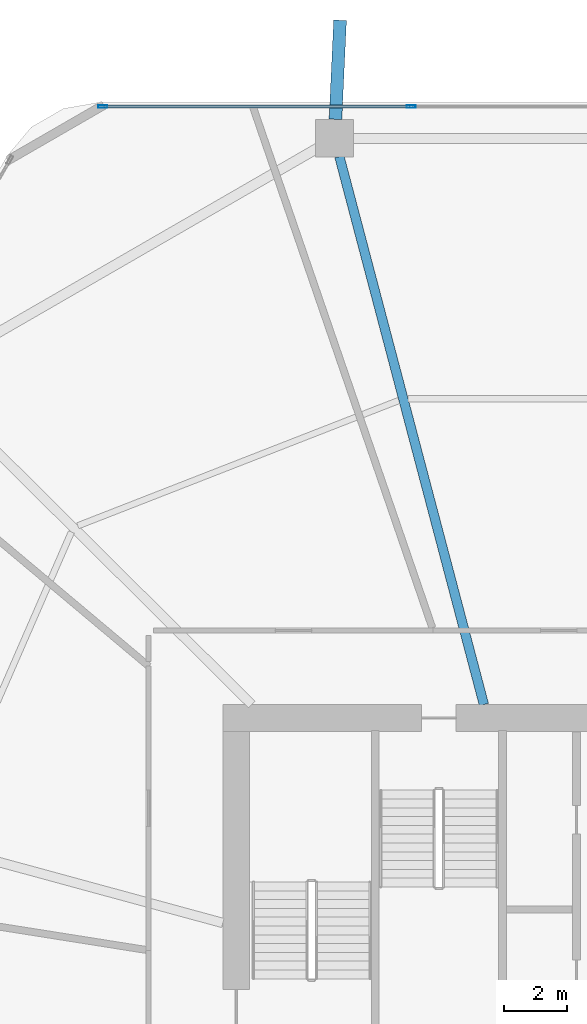
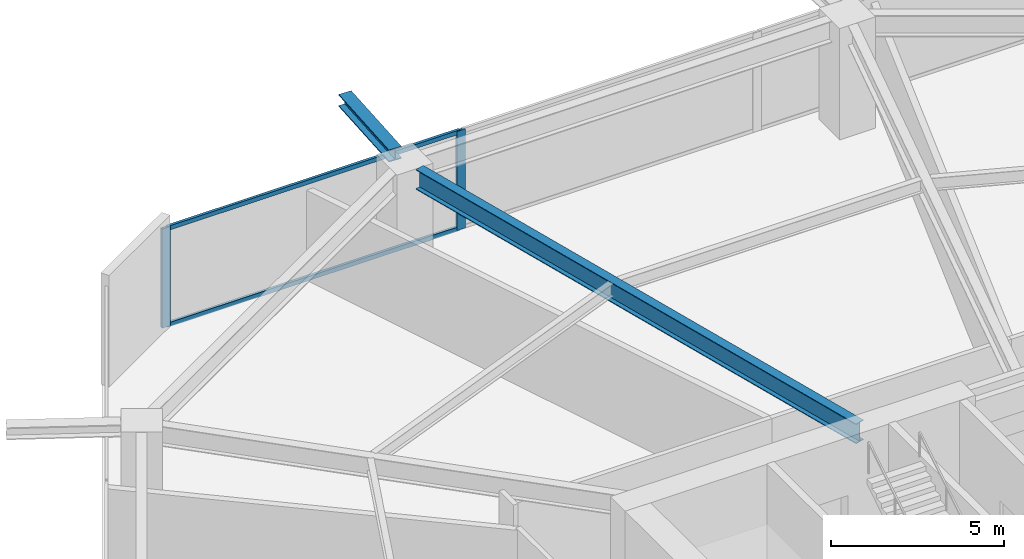
# One storey, part 15 of 25: 4 members, 2 beams, 1 element without a shape of its own.
"""IFC4 building model written with IfcOpenShell, lengths in metres."""

from ifc_helpers import new_model, si_unit, direction, frame, origin, origin_2d, place, context, subcontext, project, spatial, hollow_rectangle, i_section, extrude, material, material_profile, profile_set, type_object, element, aggregate, save


model = new_model("IFC4")

# Units and contexts
model_context = context("Model", 3, precision=1e-05, world=origin(), true_north=direction((0.0, 1.0)))
body_context = subcontext(model_context, "Body", "Model", "MODEL_VIEW")
ifc_project = project(units=[si_unit("LENGTHUNIT", "METRE"), si_unit("AREAUNIT", "SQUARE_METRE"), si_unit("VOLUMEUNIT", "CUBIC_METRE"), si_unit("PLANEANGLEUNIT", "RADIAN"), si_unit("MASSUNIT", "GRAM", prefix="KILO")], contexts=[model_context])

# Site, building, storey
site_placement = place(None, origin())
site = spatial("IfcSite", under=ifc_project, at=site_placement, CompositionType="ELEMENT")
building_placement = place(site_placement, origin())
building = spatial("IfcBuilding", under=site, at=building_placement, Name="Zuhravey Tower", CompositionType="ELEMENT")
storey_placement = place(building_placement, frame((0.0, 0.0, 45.60009765625)))
storey = spatial("IfcBuildingStorey", under=building, at=storey_placement, Name="L11", CompositionType="ELEMENT", Elevation=45.60009765625)

# Curtain wall, members
ifc_material_1 = material(Name="Thermally broken anodised aluminium", Category="aluminium")
curtain_wall_type = type_object("IfcCurtainWallType", Name="School Low-E Unitised Curtain Wall CW1", PredefinedType="NOTDEFINED", material=ifc_material_1)
curtain_wall_placement = place(storey_placement, origin())
curtain_wall = element("IfcCurtainWall", 1, at=curtain_wall_placement, inside=storey, type_object=curtain_wall_type, Name="L11 CW1 CW-L11-F2-1", PredefinedType="NOTDEFINED")
ifc_material_2 = material(Name="Anodised aluminium", Category="aluminium")
ifc_material_profile_1 = material_profile(ifc_material_2, hollow_rectangle(XDim=0.090087890625, YDim=0.284912109375, WallThickness=0.0048828125, at=origin_2d()), Name="ALU-RHS-90x285x5")
ifc_profile_set_1 = profile_set([ifc_material_profile_1], Name="Anodised aluminium")
member_type_1 = type_object("IfcMemberType", Name="Curtain-Wall Mullion 90x180", PredefinedType="MULLION", material=ifc_profile_set_1)
member_1_placement = place(storey_placement, frame((21.24560546875, 60.95849609375, 0.0), z_axis=(0.0, 0.0, 1.0), x_axis=(0.0, 1.0, 0.0)))
member_1 = element("IfcMember", 2, at=member_1_placement, type_object=member_type_1, Name="CW1 mullion 1", PredefinedType="MULLION", context=body_context, shape_type="SweptSolid", body=[
    extrude(hollow_rectangle(XDim=0.090087890625, YDim=0.284912109375, WallThickness=0.0048828125, at=origin_2d()), origin(), (0.0, 0.0, 1.0), 3.491943359375),
])
member_2_placement = place(storey_placement, frame((31.06689453125, 60.95849609375, 0.0), z_axis=(0.0, 0.0, 1.0), x_axis=(0.0, 1.0, 0.0)))
member_2 = element("IfcMember", 3, at=member_2_placement, type_object=member_type_1, Name="CW1 mullion 2", PredefinedType="MULLION", context=body_context, shape_type="SweptSolid", body=[
    extrude(hollow_rectangle(XDim=0.090087890625, YDim=0.284912109375, WallThickness=0.0048828125, at=origin_2d()), origin(), (0.0, 0.0, 1.0), 3.491943359375),
])
ifc_material_profile_2 = material_profile(ifc_material_2, hollow_rectangle(XDim=0.090087890625, YDim=0.14990234375, WallThickness=0.0048828125, at=origin_2d()), Name="ALU-RHS-90x150x5")
ifc_profile_set_2 = profile_set([ifc_material_profile_2], Name="Anodised aluminium")
member_type_2 = type_object("IfcMemberType", Name="Curtain-Wall Transom 90x150", PredefinedType="USERDEFINED", material=ifc_profile_set_2)
member_3_placement = place(storey_placement, frame((21.29052734375, 60.95849609375, 0.044921875), z_axis=(1.0, 0.0, 0.0), x_axis=(0.0, 1.0, 0.0)))
member_3 = element("IfcMember", 4, at=member_3_placement, type_object=member_type_2, Name="CW1 transom 1.1", ObjectType="TRANSOM", PredefinedType="USERDEFINED", context=body_context, shape_type="SweptSolid", body=[
    extrude(hollow_rectangle(XDim=0.090087890625, YDim=0.14990234375, WallThickness=0.0048828125, at=origin_2d()), origin(), (0.0, 0.0, 1.0), 9.731201171875),
])
member_4_placement = place(storey_placement, frame((21.29052734375, 60.95849609375, 3.447021484375), z_axis=(1.0, 0.0, 0.0), x_axis=(0.0, 1.0, 0.0)))
member_4 = element("IfcMember", 5, at=member_4_placement, type_object=member_type_2, Name="CW1 transom 1.2", ObjectType="TRANSOM", PredefinedType="USERDEFINED", context=body_context, shape_type="SweptSolid", body=[
    extrude(hollow_rectangle(XDim=0.090087890625, YDim=0.14990234375, WallThickness=0.0048828125, at=origin_2d()), origin(), (0.0, 0.0, 1.0), 9.731201171875),
])
aggregate(curtain_wall, [member_1, member_2, member_3, member_4])

# Beams
ifc_material_3 = material(Name="Steel SM460", Category="steel")
ifc_material_profile_3 = material_profile(ifc_material_3, i_section(OverallWidth=0.406982421875, OverallDepth=0.427978515625, WebThickness=0.02001953125, FlangeThickness=0.034912109375, at=origin_2d()), Name="H-428x407x20x35")
ifc_profile_set_3 = profile_set([ifc_material_profile_3], Name="Steel SM460")
beam_type_1 = type_object("IfcBeamType", Name="Exoskeleton Node Tie Beam H428x407", PredefinedType="BEAM", material=ifc_profile_set_3)
beam_1_placement = place(storey_placement, frame((28.658203125, 60.552490234375, 3.705810546875), z_axis=(0.046667932631, 0.998910458482, 0.0), x_axis=(-0.998910458482, 0.046667932631, 0.0)))
element("IfcBeam", 6, at=beam_1_placement, inside=storey, type_object=beam_type_1, Name="L11 Exoskeleton Node Tie NT1-04", PredefinedType="BEAM", context=body_context, shape_type="SweptSolid", body=[
    extrude(i_section(OverallWidth=0.406982421875, OverallDepth=0.427978515625, WebThickness=0.02001953125, FlangeThickness=0.034912109375, at=origin_2d()), origin(), (0.0, 0.0, 1.0), 3.154541015625),
])
ifc_material_4 = material(Name="Steel SM355", Category="steel")
ifc_material_profile_4 = material_profile(ifc_material_4, i_section(OverallWidth=0.300048828125, OverallDepth=0.699951171875, WebThickness=0.012939453125, FlangeThickness=0.02392578125, at=origin_2d()), Name="H-700x300x13x24")
ifc_profile_set_4 = profile_set([ifc_material_profile_4], Name="Steel SM355")
beam_type_2 = type_object("IfcBeamType", Name="Radial Primary Girder H700x300", PredefinedType="BEAM", material=ifc_profile_set_4)
beam_2_placement = place(storey_placement, frame((33.382080078125, 41.927978515625, 3.56982421875), z_axis=(-0.254989720435, 0.966943763862, 0.0), x_axis=(-0.966943763862, -0.254989720435, 0.0)))
element("IfcBeam", 7, at=beam_2_placement, inside=storey, type_object=beam_type_2, Name="L11 RG1 BM-L11-RAD-04", PredefinedType="BEAM", context=body_context, shape_type="SweptSolid", body=[
    extrude(i_section(OverallWidth=0.300048828125, OverallDepth=0.699951171875, WebThickness=0.012939453125, FlangeThickness=0.02392578125, at=origin_2d()), origin(), (0.0, 0.0, 1.0), 18.03369140625),
])

save(model, "model.ifc")
